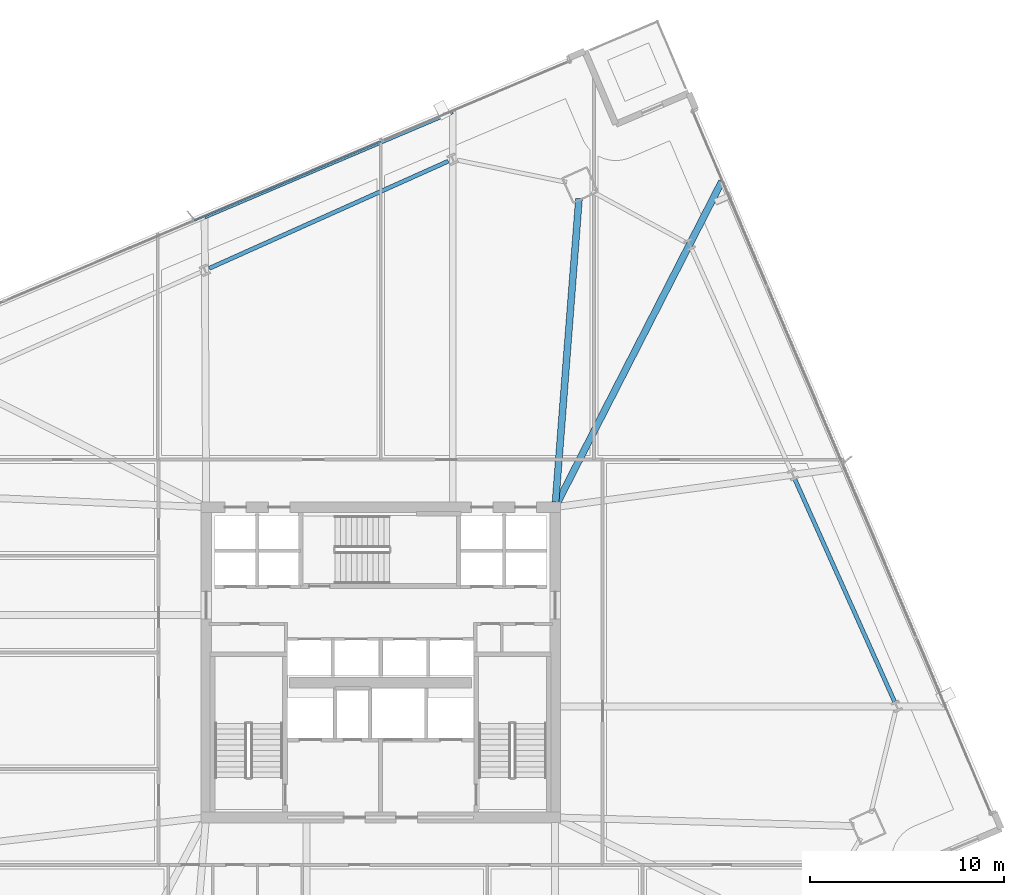
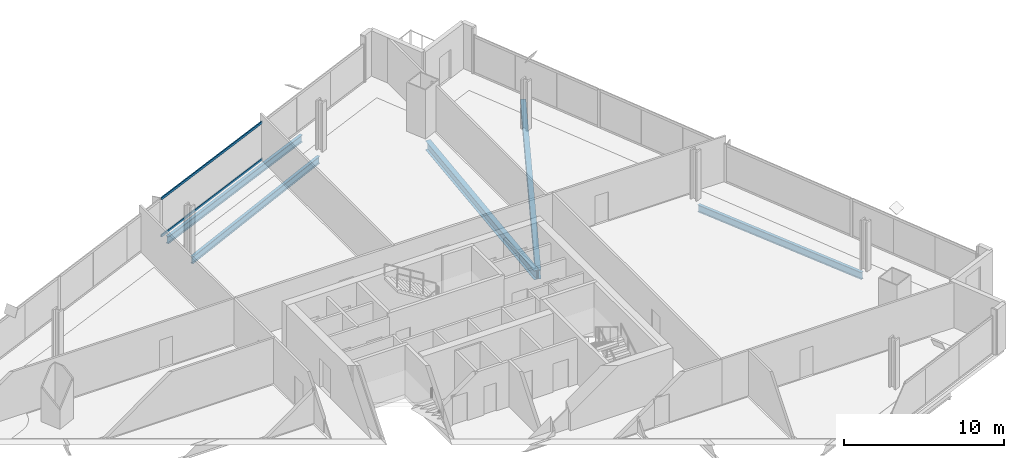
# One storey, part 19 of 34: 5 beams, 2 members, 1 element without a shape of its own.
"""IFC4 building model written with IfcOpenShell, lengths in metres."""

from ifc_helpers import new_model, si_unit, direction, frame, origin, origin_2d, place, context, subcontext, project, spatial, hollow_rectangle, i_section, extrude, material, material_profile, profile_set, type_object, element, aggregate, save


model = new_model("IFC4")

# Units and contexts
model_context = context("Model", 3, precision=1e-05, world=origin(), true_north=direction((0.0, 1.0)))
body_context = subcontext(model_context, "Body", "Model", "MODEL_VIEW")
ifc_project = project(units=[si_unit("LENGTHUNIT", "METRE"), si_unit("AREAUNIT", "SQUARE_METRE"), si_unit("VOLUMEUNIT", "CUBIC_METRE"), si_unit("PLANEANGLEUNIT", "RADIAN"), si_unit("MASSUNIT", "GRAM", prefix="KILO")], contexts=[model_context])

# Site, building, storey
site_placement = place(None, origin())
site = spatial("IfcSite", under=ifc_project, at=site_placement, CompositionType="ELEMENT")
building_placement = place(site_placement, origin())
building = spatial("IfcBuilding", under=site, at=building_placement, Name="Haldenkirk Collegiate Tower", CompositionType="ELEMENT")
storey_placement = place(building_placement, frame((0.0, 0.0, 105.449951171875)))
storey = spatial("IfcBuildingStorey", under=building, at=storey_placement, Name="L25", CompositionType="ELEMENT", Elevation=105.449951171875)

# Beams
ifc_material_1 = material(Name="Steel ASTM A992 Grade 50", Category="steel")
ifc_material_profile_1 = material_profile(ifc_material_1, i_section(OverallWidth=0.35498046875, OverallDepth=0.696044921875, WebThickness=0.015380859375, FlangeThickness=0.02490234375, at=origin_2d()), Name="W27X146")
ifc_profile_set_1 = profile_set([ifc_material_profile_1], Name="Steel ASTM A992 Grade 50")
beam_type_1 = type_object("IfcBeamType", Name="BM-GIRDER-W27X146", PredefinedType="BEAM", material=ifc_profile_set_1)
beam_1_placement = place(storey_placement, frame((46.226806640625, 49.9072265625, -0.64794921875), z_axis=(-0.076898657581, -0.997038914217, 0.0), x_axis=(0.997038914217, -0.076898657581, 0.0)))
element("IfcBeam", 1, at=beam_1_placement, inside=storey, type_object=beam_type_1, Name="L25 primary floor girder 03", PredefinedType="BEAM", context=body_context, shape_type="SweptSolid", body=[
    extrude(i_section(OverallWidth=0.35498046875, OverallDepth=0.696044921875, WebThickness=0.015380859375, FlangeThickness=0.02490234375, at=origin_2d()), origin(), (0.0, 0.0, 1.0), 15.699462890625),
])
beam_2_placement = place(storey_placement, frame((53.592041015625, 50.790283203125, -0.64794921875), z_axis=(-0.455544729637, -0.890212895492, 0.0), x_axis=(0.890212895492, -0.455544729637, 0.0)))
element("IfcBeam", 2, at=beam_2_placement, inside=storey, type_object=beam_type_1, Name="L25 primary floor girder 10", PredefinedType="BEAM", context=body_context, shape_type="SweptSolid", body=[
    extrude(i_section(OverallWidth=0.35498046875, OverallDepth=0.696044921875, WebThickness=0.015380859375, FlangeThickness=0.02490234375, at=origin_2d()), origin(), (0.0, 0.0, 1.0), 18.60595703125),
])
ifc_material_profile_2 = material_profile(ifc_material_1, i_section(OverallWidth=0.2119140625, OverallDepth=0.5439453125, WebThickness=0.01318359375, FlangeThickness=0.021240234375, at=origin_2d()), Name="W21X83")
ifc_profile_set_2 = profile_set([ifc_material_profile_2], Name="Steel ASTM A992 Grade 50")
beam_type_2 = type_object("IfcBeamType", Name="BM-SPANDREL-W21X83", PredefinedType="SPANDREL", material=ifc_profile_set_2)
beam_3_placement = place(storey_placement, frame((62.50830078125, 23.951416015625, -0.572021484375), z_axis=(-0.409131045523, 0.91247563671, 0.0), x_axis=(-0.91247563671, -0.409131045523, 0.0)))
element("IfcBeam", 3, at=beam_3_placement, inside=storey, type_object=beam_type_2, Name="L25 perimeter spandrel beam 06", PredefinedType="SPANDREL", context=body_context, shape_type="SweptSolid", body=[
    extrude(i_section(OverallWidth=0.2119140625, OverallDepth=0.5439453125, WebThickness=0.01318359375, FlangeThickness=0.021240234375, at=origin_2d()), origin(), (0.0, 0.0, 1.0), 12.593994140625),
])
beam_4_placement = place(storey_placement, frame((39.4921875, 51.84033203125, -0.572021484375), z_axis=(-0.912476765144, -0.409128528793, 0.0), x_axis=(0.409128528793, -0.912476765144, 0.0)))
element("IfcBeam", 4, at=beam_4_placement, inside=storey, type_object=beam_type_2, Name="L25 perimeter spandrel beam 10", PredefinedType="SPANDREL", context=body_context, shape_type="SweptSolid", body=[
    extrude(i_section(OverallWidth=0.2119140625, OverallDepth=0.5439453125, WebThickness=0.01318359375, FlangeThickness=0.021240234375, at=origin_2d()), origin(), (0.0, 0.0, 1.0), 13.512939453125),
])
beam_5_placement = place(storey_placement, frame((39.71630859375, 54.388916015625, -0.572021484375), z_axis=(-0.92050252456, -0.390736614971, 0.0), x_axis=(0.390736614971, -0.92050252456, 0.0)))
element("IfcBeam", 5, at=beam_5_placement, inside=storey, type_object=beam_type_2, Name="L25 outer facade edge beam 3A", PredefinedType="SPANDREL", context=body_context, shape_type="SweptSolid", body=[
    extrude(i_section(OverallWidth=0.2119140625, OverallDepth=0.5439453125, WebThickness=0.01318359375, FlangeThickness=0.021240234375, at=origin_2d()), origin(), (0.0, 0.0, 1.0), 13.897216796875),
])

# Curtain wall, members
ifc_material_2 = material(Name="Anodised architectural bronze aluminium", Category="aluminium")
curtain_wall_type = type_object("IfcCurtainWallType", Name="CW-SYS1-CONVEX-LOW", PredefinedType="USERDEFINED", material=ifc_material_2)
curtain_wall_placement = place(storey_placement, origin())
curtain_wall = element("IfcCurtainWall", 6, at=curtain_wall_placement, inside=storey, type_object=curtain_wall_type, Name="L25 Lower tower convex bronze-framed unitised curtain wall", ObjectType="UNITISED CURTAIN WALL", PredefinedType="USERDEFINED")
ifc_material_profile_3 = material_profile(ifc_material_2, hollow_rectangle(XDim=0.080078125, YDim=0.179931640625, WallThickness=0.0048828125, at=origin_2d()), Name="CW-TRN-1A")
ifc_profile_set_3 = profile_set([ifc_material_profile_3], Name="Anodised architectural bronze aluminium")
member_type = type_object("IfcMemberType", Name="CW-TRN-1A", PredefinedType="USERDEFINED", material=ifc_profile_set_3)
member_1_placement = place(storey_placement, frame((26.3779296875, 48.7705078125, 0.0400390625), z_axis=(0.920501229021, 0.390739667005, 0.0), x_axis=(-0.390739667005, 0.920501229021, 0.0)))
member_1 = element("IfcMember", 7, at=member_1_placement, type_object=member_type, Name="CW-1A transom 3.1", ObjectType="TRANSOM", PredefinedType="USERDEFINED", context=body_context, shape_type="SweptSolid", body=[
    extrude(hollow_rectangle(XDim=0.080078125, YDim=0.179931640625, WallThickness=0.0048828125, at=origin_2d()), origin(), (0.0, 0.0, 1.0), 10.469970703125),
])
member_2_placement = place(storey_placement, frame((26.3779296875, 48.7705078125, 2.861083984375), z_axis=(0.920501229021, 0.390739667005, 0.0), x_axis=(-0.390739667005, 0.920501229021, 0.0)))
member_2 = element("IfcMember", 8, at=member_2_placement, type_object=member_type, Name="CW-1A transom 3.2", ObjectType="TRANSOM", PredefinedType="USERDEFINED", context=body_context, shape_type="SweptSolid", body=[
    extrude(hollow_rectangle(XDim=0.080078125, YDim=0.179931640625, WallThickness=0.0048828125, at=origin_2d()), origin(), (0.0, 0.0, 1.0), 10.469970703125),
])
aggregate(curtain_wall, [member_1, member_2])

save(model, "model.ifc")
